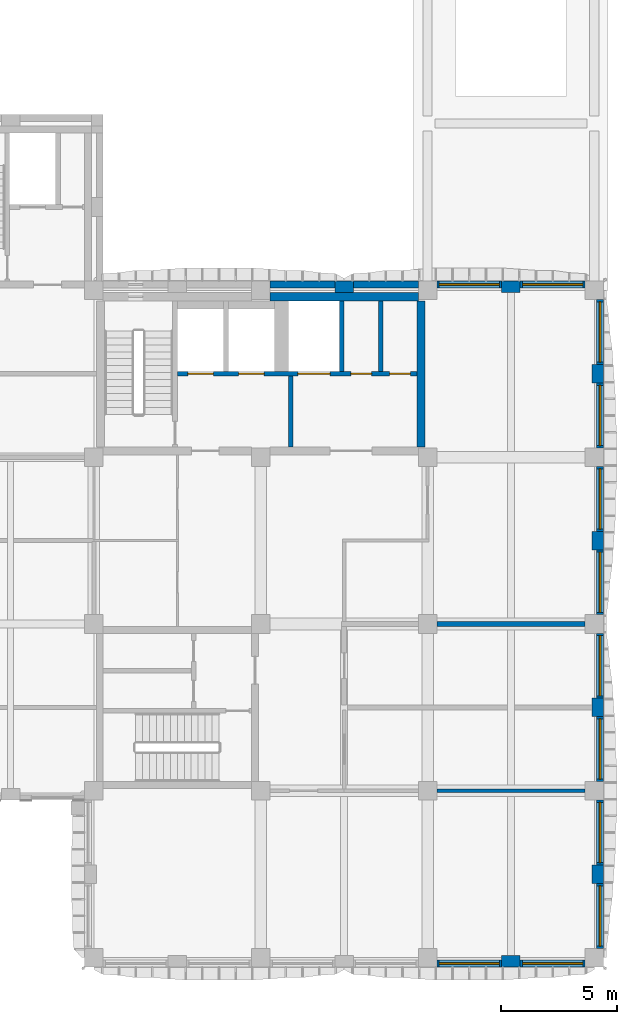
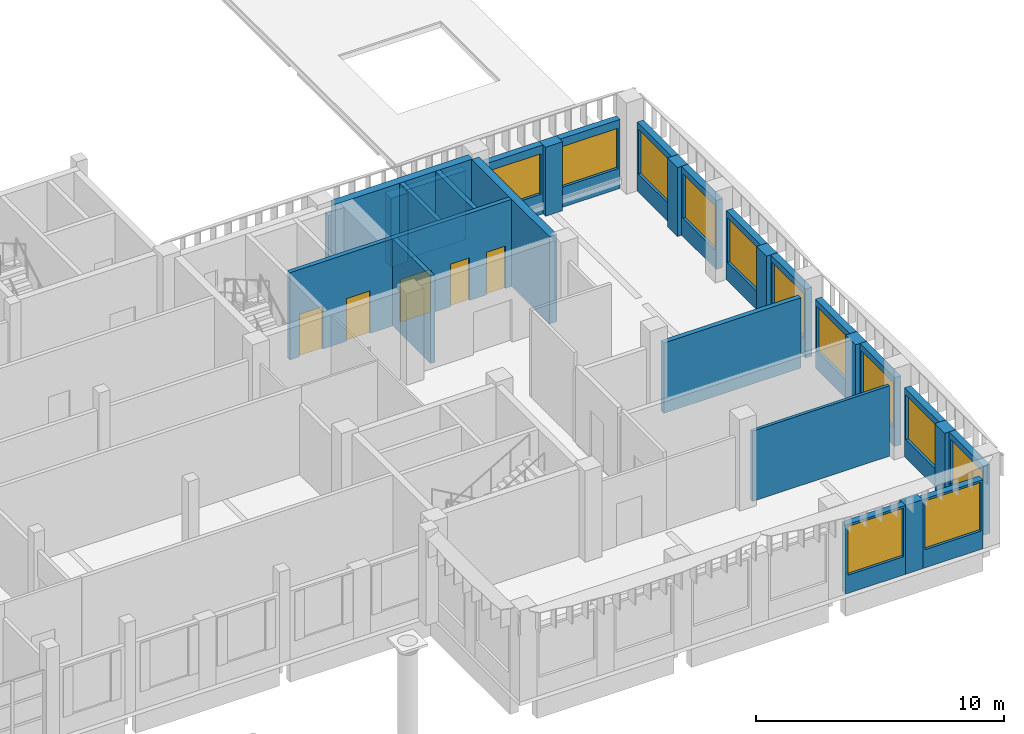
# One storey, part 24 of 59: 29 walls, 12 windows, 5 doors, 17 openings.
"""IFC4 building model written with IfcOpenShell, lengths in metres."""

from ifc_helpers import new_model, si_unit, direction, frame, frame_2d, origin, place, context, subcontext, project, spatial, rectangle, extrude, material, layer, layer_set, type_object, element, fill, save


model = new_model("IFC4")

# Units and contexts
model_context = context("Model", 3, precision=1e-05, world=origin(), true_north=direction((0.0, 1.0)))
body_context = subcontext(model_context, "Body", "Model", "MODEL_VIEW")
ifc_project = project(units=[si_unit("LENGTHUNIT", "METRE"), si_unit("AREAUNIT", "SQUARE_METRE"), si_unit("VOLUMEUNIT", "CUBIC_METRE"), si_unit("PLANEANGLEUNIT", "RADIAN"), si_unit("MASSUNIT", "GRAM", prefix="KILO")], contexts=[model_context])

# Site, building, storey
site_placement = place(None, origin())
site = spatial("IfcSite", under=ifc_project, at=site_placement, CompositionType="ELEMENT")
building_placement = place(site_placement, origin())
building = spatial("IfcBuilding", under=site, at=building_placement, Name="Ussher Court Research Institute", CompositionType="ELEMENT")
storey_placement = place(building_placement, frame((0.0, 0.0, 5.39990234375)))
storey = spatial("IfcBuildingStorey", under=building, at=storey_placement, Name="L01", CompositionType="ELEMENT", Elevation=5.39990234375)

# Wall, opening, window
ifc_material_1 = material(Name="Blockwork with cream render", Category="masonry")
ifc_layer_1 = layer(ifc_material_1, 0.300048828125)
ifc_layer_set_1 = layer_set([ifc_layer_1], Name="Blockwork with cream render")
wall_type_1 = type_object("IfcWallType", Name="External wall 300 cream render", PredefinedType="SOLIDWALL", material=ifc_layer_set_1)
wall_1_placement = place(storey_placement, frame((97.0, 33.050048828125, 0.0), z_axis=(0.0, 0.0, 1.0), x_axis=(1.0, 0.0, 0.0)))
wall_1 = element("IfcWall", 1, at=wall_1_placement, inside=storey, type_object=wall_type_1, Name="External wall EW1 L01", PredefinedType="SOLIDWALL", context=body_context, shape_type="SweptSolid", body=[
    extrude(rectangle(XDim=2.800048828125, YDim=0.300048828125, at=frame_2d((1.39990234375, 0.0))), origin(), (0.0, 0.0, 1.0), 3.400146484375),
])
opening_1_placement = place(wall_1_placement, frame((0.10009765625, 0.0, 1.0)))
opening_1 = element("IfcOpeningElement", 2, at=opening_1_placement, cuts=wall_1, Name="Opening W15", PredefinedType="OPENING", context=body_context, shape_type="SweptSolid", body=[
    extrude(rectangle(XDim=2.60009765625, YDim=2.0, at=frame_2d((1.300048828125, 1.0))), frame((0.0, 0.16015625, 0.0), z_axis=(0.0, -1.0, 0.0), x_axis=(1.0, 0.0, 0.0)), (0.0, 0.0, 1.0), 0.320068359375),
])
ifc_material_2 = material(Name="Bronze anodised aluminium with double glazing", Category="aluminium")
window_type_1 = type_object("IfcWindowType", Name="Service side laboratory window 2600x2000", PartitioningType="DOUBLE_PANEL_VERTICAL", PredefinedType="WINDOW", material=ifc_material_2)
window_1_placement = place(opening_1_placement, origin())
window_1 = element("IfcWindow", 3, at=window_1_placement, inside=storey, type_object=window_type_1, Name="Window W15 L01", OverallHeight=2.0, OverallWidth=2.60009765625, PartitioningType="SINGLE_PANEL", PredefinedType="WINDOW", context=body_context, shape_type="SweptSolid", body=[
    extrude(rectangle(XDim=2.60009765625, YDim=2.0, at=frame_2d((1.300048828125, 1.0))), frame((0.0, 0.030029296875, 0.0), z_axis=(0.0, -1.0, 0.0), x_axis=(1.0, 0.0, 0.0)), (0.0, 0.0, 1.0), 0.06005859375),
])
fill(opening_1, window_1)

wall_2_placement = place(storey_placement, frame((100.60009765625, 33.050048828125, 0.0), z_axis=(0.0, 0.0, 1.0), x_axis=(1.0, 0.0, 0.0)))
wall_2 = element("IfcWall", 4, at=wall_2_placement, inside=storey, type_object=wall_type_1, Name="External wall EW1 L01", PredefinedType="SOLIDWALL", context=body_context, shape_type="SweptSolid", body=[
    extrude(rectangle(XDim=2.7998046875, YDim=0.300048828125, at=frame_2d((1.39990234375, 0.0))), origin(), (0.0, 0.0, 1.0), 3.400146484375),
])
opening_2_placement = place(wall_2_placement, frame((0.10009765625, 0.0, 1.0)))
opening_2 = element("IfcOpeningElement", 5, at=opening_2_placement, cuts=wall_2, Name="Opening W15", PredefinedType="OPENING", context=body_context, shape_type="SweptSolid", body=[
    extrude(rectangle(XDim=2.60009765625, YDim=2.0, at=frame_2d((1.300048828125, 1.0))), frame((0.0, 0.16015625, 0.0), z_axis=(0.0, -1.0, 0.0), x_axis=(1.0, 0.0, 0.0)), (0.0, 0.0, 1.0), 0.320068359375),
])
window_2_placement = place(opening_2_placement, origin())
window_2 = element("IfcWindow", 6, at=window_2_placement, inside=storey, type_object=window_type_1, Name="Window W15 L01", OverallHeight=2.0, OverallWidth=2.60009765625, PartitioningType="SINGLE_PANEL", PredefinedType="WINDOW", context=body_context, shape_type="SweptSolid", body=[
    extrude(rectangle(XDim=2.60009765625, YDim=2.0, at=frame_2d((1.300048828125, 1.0))), frame((0.0, 0.030029296875, 0.0), z_axis=(0.0, -1.0, 0.0), x_axis=(1.0, 0.0, 0.0)), (0.0, 0.0, 1.0), 0.06005859375),
])
fill(opening_2, window_2)

wall_3_placement = place(storey_placement, frame((104.050048828125, 32.39990234375, 0.0), z_axis=(0.0, 0.0, 1.0), x_axis=(0.0, -1.0, 0.0)))
wall_3 = element("IfcWall", 7, at=wall_3_placement, inside=storey, type_object=wall_type_1, Name="External wall EW1 L01", PredefinedType="SOLIDWALL", context=body_context, shape_type="SweptSolid", body=[
    extrude(rectangle(XDim=2.7998046875, YDim=0.300048828125, at=frame_2d((1.39990234375, 0.0))), origin(), (0.0, 0.0, 1.0), 3.400146484375),
])
opening_3_placement = place(wall_3_placement, frame((0.10009765625, 0.0, 0.89990234375)))
opening_3 = element("IfcOpeningElement", 8, at=opening_3_placement, cuts=wall_3, Name="Opening W13", PredefinedType="OPENING", context=body_context, shape_type="SweptSolid", body=[
    extrude(rectangle(XDim=2.60009765625, YDim=2.199951171875, at=frame_2d((1.300048828125, 1.10009765625))), frame((0.0, 0.16015625, 0.0), z_axis=(0.0, -1.0, 0.0), x_axis=(1.0, 0.0, 0.0)), (0.0, 0.0, 1.0), 0.320068359375),
])
ifc_material_3 = material(Name="Bronze anodised aluminium with double glazing", Category="aluminium")
window_type_2 = type_object("IfcWindowType", Name="East laboratory window 2600x2200", PartitioningType="DOUBLE_PANEL_VERTICAL", PredefinedType="WINDOW", material=ifc_material_3)
window_3_placement = place(opening_3_placement, origin())
window_3 = element("IfcWindow", 9, at=window_3_placement, inside=storey, type_object=window_type_2, Name="Window W13 L01", OverallHeight=2.199951171875, OverallWidth=2.60009765625, PartitioningType="SINGLE_PANEL", PredefinedType="WINDOW", context=body_context, shape_type="SweptSolid", body=[
    extrude(rectangle(XDim=2.60009765625, YDim=2.199951171875, at=frame_2d((1.300048828125, 1.10009765625))), frame((0.0, 0.030029296875, 0.0), z_axis=(0.0, -1.0, 0.0), x_axis=(1.0, 0.0, 0.0)), (0.0, 0.0, 1.0), 0.06005859375),
])
fill(opening_3, window_3)

wall_4_placement = place(storey_placement, frame((104.050048828125, 28.800048828125, 0.0), z_axis=(0.0, 0.0, 1.0), x_axis=(0.0, -1.0, 0.0)))
wall_4 = element("IfcWall", 10, at=wall_4_placement, inside=storey, type_object=wall_type_1, Name="External wall EW1 L01", PredefinedType="SOLIDWALL", context=body_context, shape_type="SweptSolid", body=[
    extrude(rectangle(XDim=2.800048828125, YDim=0.300048828125, at=frame_2d((1.39990234375, 0.0))), origin(), (0.0, 0.0, 1.0), 3.400146484375),
])
opening_4_placement = place(wall_4_placement, frame((0.10009765625, 0.0, 0.89990234375)))
opening_4 = element("IfcOpeningElement", 11, at=opening_4_placement, cuts=wall_4, Name="Opening W13", PredefinedType="OPENING", context=body_context, shape_type="SweptSolid", body=[
    extrude(rectangle(XDim=2.60009765625, YDim=2.199951171875, at=frame_2d((1.300048828125, 1.10009765625))), frame((0.0, 0.16015625, 0.0), z_axis=(0.0, -1.0, 0.0), x_axis=(1.0, 0.0, 0.0)), (0.0, 0.0, 1.0), 0.320068359375),
])
window_4_placement = place(opening_4_placement, origin())
window_4 = element("IfcWindow", 12, at=window_4_placement, inside=storey, type_object=window_type_2, Name="Window W13 L01", OverallHeight=2.199951171875, OverallWidth=2.60009765625, PartitioningType="SINGLE_PANEL", PredefinedType="WINDOW", context=body_context, shape_type="SweptSolid", body=[
    extrude(rectangle(XDim=2.60009765625, YDim=2.199951171875, at=frame_2d((1.300048828125, 1.10009765625))), frame((0.0, 0.030029296875, 0.0), z_axis=(0.0, -1.0, 0.0), x_axis=(1.0, 0.0, 0.0)), (0.0, 0.0, 1.0), 0.06005859375),
])
fill(opening_4, window_4)

wall_5_placement = place(storey_placement, frame((104.050048828125, 25.199951171875, 0.0), z_axis=(0.0, 0.0, 1.0), x_axis=(0.0, -1.0, 0.0)))
wall_5 = element("IfcWall", 13, at=wall_5_placement, inside=storey, type_object=wall_type_1, Name="External wall EW1 L01", PredefinedType="SOLIDWALL", context=body_context, shape_type="SweptSolid", body=[
    extrude(rectangle(XDim=2.800048828125, YDim=0.300048828125, at=frame_2d((1.39990234375, 0.0))), origin(), (0.0, 0.0, 1.0), 3.400146484375),
])
opening_5_placement = place(wall_5_placement, frame((0.10009765625, 0.0, 0.89990234375)))
opening_5 = element("IfcOpeningElement", 14, at=opening_5_placement, cuts=wall_5, Name="Opening W13", PredefinedType="OPENING", context=body_context, shape_type="SweptSolid", body=[
    extrude(rectangle(XDim=2.60009765625, YDim=2.199951171875, at=frame_2d((1.300048828125, 1.10009765625))), frame((0.0, 0.16015625, 0.0), z_axis=(0.0, -1.0, 0.0), x_axis=(1.0, 0.0, 0.0)), (0.0, 0.0, 1.0), 0.320068359375),
])
window_5_placement = place(opening_5_placement, origin())
window_5 = element("IfcWindow", 15, at=window_5_placement, inside=storey, type_object=window_type_2, Name="Window W13 L01", OverallHeight=2.199951171875, OverallWidth=2.60009765625, PartitioningType="SINGLE_PANEL", PredefinedType="WINDOW", context=body_context, shape_type="SweptSolid", body=[
    extrude(rectangle(XDim=2.60009765625, YDim=2.199951171875, at=frame_2d((1.300048828125, 1.10009765625))), frame((0.0, 0.030029296875, 0.0), z_axis=(0.0, -1.0, 0.0), x_axis=(1.0, 0.0, 0.0)), (0.0, 0.0, 1.0), 0.06005859375),
])
fill(opening_5, window_5)

wall_6_placement = place(storey_placement, frame((104.050048828125, 21.60009765625, 0.0), z_axis=(0.0, 0.0, 1.0), x_axis=(0.0, -1.0, 0.0)))
wall_6 = element("IfcWall", 16, at=wall_6_placement, inside=storey, type_object=wall_type_1, Name="External wall EW1 L01", PredefinedType="SOLIDWALL", context=body_context, shape_type="SweptSolid", body=[
    extrude(rectangle(XDim=2.800048828125, YDim=0.300048828125, at=frame_2d((1.39990234375, 0.0))), origin(), (0.0, 0.0, 1.0), 3.400146484375),
])
opening_6_placement = place(wall_6_placement, frame((0.10009765625, 0.0, 0.89990234375)))
opening_6 = element("IfcOpeningElement", 17, at=opening_6_placement, cuts=wall_6, Name="Opening W13", PredefinedType="OPENING", context=body_context, shape_type="SweptSolid", body=[
    extrude(rectangle(XDim=2.60009765625, YDim=2.199951171875, at=frame_2d((1.300048828125, 1.10009765625))), frame((0.0, 0.16015625, 0.0), z_axis=(0.0, -1.0, 0.0), x_axis=(1.0, 0.0, 0.0)), (0.0, 0.0, 1.0), 0.320068359375),
])
window_6_placement = place(opening_6_placement, origin())
window_6 = element("IfcWindow", 18, at=window_6_placement, inside=storey, type_object=window_type_2, Name="Window W13 L01", OverallHeight=2.199951171875, OverallWidth=2.60009765625, PartitioningType="SINGLE_PANEL", PredefinedType="WINDOW", context=body_context, shape_type="SweptSolid", body=[
    extrude(rectangle(XDim=2.60009765625, YDim=2.199951171875, at=frame_2d((1.300048828125, 1.10009765625))), frame((0.0, 0.030029296875, 0.0), z_axis=(0.0, -1.0, 0.0), x_axis=(1.0, 0.0, 0.0)), (0.0, 0.0, 1.0), 0.06005859375),
])
fill(opening_6, window_6)

wall_7_placement = place(storey_placement, frame((104.050048828125, 18.0, 0.0), z_axis=(0.0, 0.0, 1.0), x_axis=(0.0, -1.0, 0.0)))
wall_7 = element("IfcWall", 19, at=wall_7_placement, inside=storey, type_object=wall_type_1, Name="External wall EW1 L01", PredefinedType="SOLIDWALL", context=body_context, shape_type="SweptSolid", body=[
    extrude(rectangle(XDim=2.800048828125, YDim=0.300048828125, at=frame_2d((1.39990234375, 0.0))), origin(), (0.0, 0.0, 1.0), 3.400146484375),
])
opening_7_placement = place(wall_7_placement, frame((0.10009765625, 0.0, 0.89990234375)))
opening_7 = element("IfcOpeningElement", 20, at=opening_7_placement, cuts=wall_7, Name="Opening W13", PredefinedType="OPENING", context=body_context, shape_type="SweptSolid", body=[
    extrude(rectangle(XDim=2.60009765625, YDim=2.199951171875, at=frame_2d((1.300048828125, 1.10009765625))), frame((0.0, 0.16015625, 0.0), z_axis=(0.0, -1.0, 0.0), x_axis=(1.0, 0.0, 0.0)), (0.0, 0.0, 1.0), 0.320068359375),
])
window_7_placement = place(opening_7_placement, origin())
window_7 = element("IfcWindow", 21, at=window_7_placement, inside=storey, type_object=window_type_2, Name="Window W13 L01", OverallHeight=2.199951171875, OverallWidth=2.60009765625, PartitioningType="SINGLE_PANEL", PredefinedType="WINDOW", context=body_context, shape_type="SweptSolid", body=[
    extrude(rectangle(XDim=2.60009765625, YDim=2.199951171875, at=frame_2d((1.300048828125, 1.10009765625))), frame((0.0, 0.030029296875, 0.0), z_axis=(0.0, -1.0, 0.0), x_axis=(1.0, 0.0, 0.0)), (0.0, 0.0, 1.0), 0.06005859375),
])
fill(opening_7, window_7)

wall_8_placement = place(storey_placement, frame((104.050048828125, 14.39990234375, 0.0), z_axis=(0.0, 0.0, 1.0), x_axis=(0.0, -1.0, 0.0)))
wall_8 = element("IfcWall", 22, at=wall_8_placement, inside=storey, type_object=wall_type_1, Name="External wall EW1 L01", PredefinedType="SOLIDWALL", context=body_context, shape_type="SweptSolid", body=[
    extrude(rectangle(XDim=2.7998046875, YDim=0.300048828125, at=frame_2d((1.39990234375, 0.0))), origin(), (0.0, 0.0, 1.0), 3.400146484375),
])
opening_8_placement = place(wall_8_placement, frame((0.10009765625, 0.0, 0.89990234375)))
opening_8 = element("IfcOpeningElement", 23, at=opening_8_placement, cuts=wall_8, Name="Opening W13", PredefinedType="OPENING", context=body_context, shape_type="SweptSolid", body=[
    extrude(rectangle(XDim=2.60009765625, YDim=2.199951171875, at=frame_2d((1.300048828125, 1.10009765625))), frame((0.0, 0.16015625, 0.0), z_axis=(0.0, -1.0, 0.0), x_axis=(1.0, 0.0, 0.0)), (0.0, 0.0, 1.0), 0.320068359375),
])
window_8_placement = place(opening_8_placement, origin())
window_8 = element("IfcWindow", 24, at=window_8_placement, inside=storey, type_object=window_type_2, Name="Window W13 L01", OverallHeight=2.199951171875, OverallWidth=2.60009765625, PartitioningType="SINGLE_PANEL", PredefinedType="WINDOW", context=body_context, shape_type="SweptSolid", body=[
    extrude(rectangle(XDim=2.60009765625, YDim=2.199951171875, at=frame_2d((1.300048828125, 1.10009765625))), frame((0.0, 0.030029296875, 0.0), z_axis=(0.0, -1.0, 0.0), x_axis=(1.0, 0.0, 0.0)), (0.0, 0.0, 1.0), 0.06005859375),
])
fill(opening_8, window_8)

wall_9_placement = place(storey_placement, frame((104.050048828125, 10.800048828125, 0.0), z_axis=(0.0, 0.0, 1.0), x_axis=(0.0, -1.0, 0.0)))
wall_9 = element("IfcWall", 25, at=wall_9_placement, inside=storey, type_object=wall_type_1, Name="External wall EW1 L01", PredefinedType="SOLIDWALL", context=body_context, shape_type="SweptSolid", body=[
    extrude(rectangle(XDim=2.800048828125, YDim=0.300048828125, at=frame_2d((1.39990234375, 0.0))), origin(), (0.0, 0.0, 1.0), 3.400146484375),
])
opening_9_placement = place(wall_9_placement, frame((0.10009765625, 0.0, 0.89990234375)))
opening_9 = element("IfcOpeningElement", 26, at=opening_9_placement, cuts=wall_9, Name="Opening W13", PredefinedType="OPENING", context=body_context, shape_type="SweptSolid", body=[
    extrude(rectangle(XDim=2.60009765625, YDim=2.199951171875, at=frame_2d((1.300048828125, 1.10009765625))), frame((0.0, 0.16015625, 0.0), z_axis=(0.0, -1.0, 0.0), x_axis=(1.0, 0.0, 0.0)), (0.0, 0.0, 1.0), 0.320068359375),
])
window_9_placement = place(opening_9_placement, origin())
window_9 = element("IfcWindow", 27, at=window_9_placement, inside=storey, type_object=window_type_2, Name="Window W13 L01", OverallHeight=2.199951171875, OverallWidth=2.60009765625, PartitioningType="SINGLE_PANEL", PredefinedType="WINDOW", context=body_context, shape_type="SweptSolid", body=[
    extrude(rectangle(XDim=2.60009765625, YDim=2.199951171875, at=frame_2d((1.300048828125, 1.10009765625))), frame((0.0, 0.030029296875, 0.0), z_axis=(0.0, -1.0, 0.0), x_axis=(1.0, 0.0, 0.0)), (0.0, 0.0, 1.0), 0.06005859375),
])
fill(opening_9, window_9)

wall_10_placement = place(storey_placement, frame((104.050048828125, 7.199951171875, 0.0), z_axis=(0.0, 0.0, 1.0), x_axis=(0.0, -1.0, 0.0)))
wall_10 = element("IfcWall", 28, at=wall_10_placement, inside=storey, type_object=wall_type_1, Name="External wall EW1 L01", PredefinedType="SOLIDWALL", context=body_context, shape_type="SweptSolid", body=[
    extrude(rectangle(XDim=2.800048828125, YDim=0.300048828125, at=frame_2d((1.39990234375, 0.0))), origin(), (0.0, 0.0, 1.0), 3.400146484375),
])
opening_10_placement = place(wall_10_placement, frame((0.10009765625, 0.0, 0.89990234375)))
opening_10 = element("IfcOpeningElement", 29, at=opening_10_placement, cuts=wall_10, Name="Opening W13", PredefinedType="OPENING", context=body_context, shape_type="SweptSolid", body=[
    extrude(rectangle(XDim=2.60009765625, YDim=2.199951171875, at=frame_2d((1.300048828125, 1.10009765625))), frame((0.0, 0.16015625, 0.0), z_axis=(0.0, -1.0, 0.0), x_axis=(1.0, 0.0, 0.0)), (0.0, 0.0, 1.0), 0.320068359375),
])
window_10_placement = place(opening_10_placement, origin())
window_10 = element("IfcWindow", 30, at=window_10_placement, inside=storey, type_object=window_type_2, Name="Window W13 L01", OverallHeight=2.199951171875, OverallWidth=2.60009765625, PartitioningType="SINGLE_PANEL", PredefinedType="WINDOW", context=body_context, shape_type="SweptSolid", body=[
    extrude(rectangle(XDim=2.60009765625, YDim=2.199951171875, at=frame_2d((1.300048828125, 1.10009765625))), frame((0.0, 0.030029296875, 0.0), z_axis=(0.0, -1.0, 0.0), x_axis=(1.0, 0.0, 0.0)), (0.0, 0.0, 1.0), 0.06005859375),
])
fill(opening_10, window_10)

wall_11_placement = place(storey_placement, frame((103.39990234375, 3.75, 0.0), z_axis=(0.0, 0.0, 1.0), x_axis=(-1.0, 0.0, 0.0)))
wall_11 = element("IfcWall", 31, at=wall_11_placement, inside=storey, type_object=wall_type_1, Name="External wall EW1 L01", PredefinedType="SOLIDWALL", context=body_context, shape_type="SweptSolid", body=[
    extrude(rectangle(XDim=2.7998046875, YDim=0.300048828125, at=frame_2d((1.39990234375, 0.0))), origin(), (0.0, 0.0, 1.0), 3.400146484375),
])
opening_11_placement = place(wall_11_placement, frame((0.10009765625, 0.0, 0.89990234375)))
opening_11 = element("IfcOpeningElement", 32, at=opening_11_placement, cuts=wall_11, Name="Opening W01", PredefinedType="OPENING", context=body_context, shape_type="SweptSolid", body=[
    extrude(rectangle(XDim=2.60009765625, YDim=2.39990234375, at=frame_2d((1.300048828125, 1.199951171875))), frame((0.0, 0.16015625, 0.0), z_axis=(0.0, -1.0, 0.0), x_axis=(1.0, 0.0, 0.0)), (0.0, 0.0, 1.0), 0.320068359375),
])
ifc_material_4 = material(Name="Bronze anodised aluminium with double glazing", Category="aluminium")
window_type_3 = type_object("IfcWindowType", Name="Laboratory bay window 2600x2400", PartitioningType="DOUBLE_PANEL_VERTICAL", PredefinedType="WINDOW", material=ifc_material_4)
window_11_placement = place(opening_11_placement, origin())
window_11 = element("IfcWindow", 33, at=window_11_placement, inside=storey, type_object=window_type_3, Name="Window W01 L01", OverallHeight=2.39990234375, OverallWidth=2.60009765625, PartitioningType="SINGLE_PANEL", PredefinedType="WINDOW", context=body_context, shape_type="SweptSolid", body=[
    extrude(rectangle(XDim=2.60009765625, YDim=2.39990234375, at=frame_2d((1.300048828125, 1.199951171875))), frame((0.0, 0.030029296875, 0.0), z_axis=(0.0, -1.0, 0.0), x_axis=(1.0, 0.0, 0.0)), (0.0, 0.0, 1.0), 0.06005859375),
])
fill(opening_11, window_11)

wall_12_placement = place(storey_placement, frame((99.800048828125, 3.75, 0.0), z_axis=(0.0, 0.0, 1.0), x_axis=(-1.0, 0.0, 0.0)))
wall_12 = element("IfcWall", 34, at=wall_12_placement, inside=storey, type_object=wall_type_1, Name="External wall EW1 L01", PredefinedType="SOLIDWALL", context=body_context, shape_type="SweptSolid", body=[
    extrude(rectangle(XDim=2.800048828125, YDim=0.300048828125, at=frame_2d((1.39990234375, 0.0))), origin(), (0.0, 0.0, 1.0), 3.400146484375),
])
opening_12_placement = place(wall_12_placement, frame((0.10009765625, 0.0, 0.89990234375)))
opening_12 = element("IfcOpeningElement", 35, at=opening_12_placement, cuts=wall_12, Name="Opening W01", PredefinedType="OPENING", context=body_context, shape_type="SweptSolid", body=[
    extrude(rectangle(XDim=2.60009765625, YDim=2.39990234375, at=frame_2d((1.300048828125, 1.199951171875))), frame((0.0, 0.16015625, 0.0), z_axis=(0.0, -1.0, 0.0), x_axis=(1.0, 0.0, 0.0)), (0.0, 0.0, 1.0), 0.320068359375),
])
window_12_placement = place(opening_12_placement, origin())
window_12 = element("IfcWindow", 36, at=window_12_placement, inside=storey, type_object=window_type_3, Name="Window W01 L01", OverallHeight=2.39990234375, OverallWidth=2.60009765625, PartitioningType="SINGLE_PANEL", PredefinedType="WINDOW", context=body_context, shape_type="SweptSolid", body=[
    extrude(rectangle(XDim=2.60009765625, YDim=2.39990234375, at=frame_2d((1.300048828125, 1.199951171875))), frame((0.0, 0.030029296875, 0.0), z_axis=(0.0, -1.0, 0.0), x_axis=(1.0, 0.0, 0.0)), (0.0, 0.0, 1.0), 0.06005859375),
])
fill(opening_12, window_12)

# Walls
ifc_material_5 = material(Name="Limestone facing on blockwork", Category="masonry")
ifc_layer_2 = layer(ifc_material_5, 0.300048828125)
ifc_layer_set_2 = layer_set([ifc_layer_2], Name="Limestone facing on blockwork")
wall_type_2 = type_object("IfcWallType", Name="External wall 300 stair enclosure", PredefinedType="SOLIDWALL", material=ifc_layer_set_2)
for number, where, z_axis, x_axis, name in (
    (37, (89.800048828125, 33.050048828125, 0.0), (0.0, 0.0, 1.0), (1.0, 0.0, 0.0), "External wall EW5 L01"),
    (38, (93.39990234375, 33.050048828125, 0.0), (0.0, 0.0, 1.0), (1.0, 0.0, 0.0), "External wall EW5 L01"),
):
    element("IfcWall", number, at=place(storey_placement, frame(where, z_axis=z_axis, x_axis=x_axis)), inside=storey, type_object=wall_type_2, Name=name, PredefinedType="SOLIDWALL", context=body_context, shape_type="SweptSolid", body=[
        extrude(rectangle(XDim=2.800048828125, YDim=0.300048828125, at=frame_2d((1.39990234375, 0.0))), origin(), (0.0, 0.0, 1.0), 3.400146484375),
    ])
ifc_material_6 = material(Name="Dense concrete blockwork", Category="masonry")
ifc_layer_3 = layer(ifc_material_6, 0.219970703125)
ifc_layer_set_3 = layer_set([ifc_layer_3], Name="Dense concrete blockwork")
wall_type_3 = type_object("IfcWallType", Name="Hazardous store dense block 220 EI 60", PredefinedType="PARTITIONING", material=ifc_layer_set_3)
wall_13_placement = place(storey_placement, frame((97.0, 18.39990234375, 0.0), z_axis=(0.0, 0.0, 1.0), x_axis=(1.0, 0.0, 0.0)))
element("IfcWall", 39, at=wall_13_placement, inside=storey, type_object=wall_type_3, Name="Fire partition", PredefinedType="PARTITIONING", context=body_context, shape_type="SweptSolid", body=[
    extrude(rectangle(XDim=6.39990234375, YDim=0.219970703125, at=frame_2d((3.199951171875, 0.0))), origin(), (0.0, 0.0, 1.0), 3.47021484375),
])
ifc_material_7 = material(Name="Plastered blockwork", Category="masonry")
ifc_layer_4 = layer(ifc_material_7, 0.139892578125)
ifc_layer_set_4 = layer_set([ifc_layer_4], Name="Plastered blockwork")
wall_type_4 = type_object("IfcWallType", Name="Laboratory blockwork partition 140", PredefinedType="PARTITIONING", material=ifc_layer_set_4)
wall_14_placement = place(storey_placement, frame((97.0, 11.199951171875, 0.0), z_axis=(0.0, 0.0, 1.0), x_axis=(1.0, 0.0, 0.0)))
element("IfcWall", 40, at=wall_14_placement, inside=storey, type_object=wall_type_4, Name="Partition", PredefinedType="PARTITIONING", context=body_context, shape_type="SweptSolid", body=[
    extrude(rectangle(XDim=6.39990234375, YDim=0.139892578125, at=frame_2d((3.199951171875, 0.0))), origin(), (0.0, 0.0, 1.0), 3.47021484375),
])
ifc_material_8 = material(Name="Blockwork with cream render", Category="masonry")
ifc_layer_5 = layer(ifc_material_8, 0.5)
ifc_layer_set_5 = layer_set([ifc_layer_5], Name="Blockwork with cream render")
wall_type_5 = type_object("IfcWallType", Name="Pier 800x500 cream render", PredefinedType="SOLIDWALL", material=ifc_layer_set_5)
wall_15_placement = place(storey_placement, frame((92.60009765625, 32.949951171875, 0.0), z_axis=(0.0, 0.0, 1.0), x_axis=(1.0, 0.0, 0.0)))
element("IfcWall", 41, at=wall_15_placement, inside=storey, type_object=wall_type_5, Name="Pier PR1 L01", PredefinedType="SOLIDWALL", context=body_context, shape_type="SweptSolid", body=[
    extrude(rectangle(XDim=0.7998046875, YDim=0.5, at=frame_2d((0.39990234375, 0.0))), origin(), (0.0, 0.0, 1.0), 3.400146484375),
])
for number, where, z_axis, x_axis, name in (
    (42, (99.800048828125, 32.949951171875, 0.0), (0.0, 0.0, 1.0), (1.0, 0.0, 0.0), "Pier PR1 L01"),
    (43, (103.949951171875, 29.60009765625, 0.0), (0.0, 0.0, 1.0), (0.0, -1.0, 0.0), "Pier PR1 L01"),
):
    element("IfcWall", number, at=place(storey_placement, frame(where, z_axis=z_axis, x_axis=x_axis)), inside=storey, type_object=wall_type_5, Name=name, PredefinedType="SOLIDWALL", context=body_context, shape_type="SweptSolid", body=[
        extrude(rectangle(XDim=0.800048828125, YDim=0.5, at=frame_2d((0.39990234375, 0.0))), origin(), (0.0, 0.0, 1.0), 3.400146484375),
    ])
wall_16_placement = place(storey_placement, frame((103.949951171875, 22.39990234375, 0.0), z_axis=(0.0, 0.0, 1.0), x_axis=(0.0, -1.0, 0.0)))
element("IfcWall", 44, at=wall_16_placement, inside=storey, type_object=wall_type_5, Name="Pier PR1 L01", PredefinedType="SOLIDWALL", context=body_context, shape_type="SweptSolid", body=[
    extrude(rectangle(XDim=0.7998046875, YDim=0.5, at=frame_2d((0.39990234375, 0.0))), origin(), (0.0, 0.0, 1.0), 3.400146484375),
])
for number, where, z_axis, x_axis, name in (
    (45, (103.949951171875, 15.199951171875, 0.0), (0.0, 0.0, 1.0), (0.0, -1.0, 0.0), "Pier PR1 L01"),
    (46, (103.949951171875, 8.0, 0.0), (0.0, 0.0, 1.0), (0.0, -1.0, 0.0), "Pier PR1 L01"),
    (47, (100.60009765625, 3.85009765625, 0.0), (0.0, 0.0, 1.0), (-1.0, 0.0, 0.0), "Pier PR1 L01"),
):
    element("IfcWall", number, at=place(storey_placement, frame(where, z_axis=z_axis, x_axis=x_axis)), inside=storey, type_object=wall_type_5, Name=name, PredefinedType="SOLIDWALL", context=body_context, shape_type="SweptSolid", body=[
        extrude(rectangle(XDim=0.800048828125, YDim=0.5, at=frame_2d((0.39990234375, 0.0))), origin(), (0.0, 0.0, 1.0), 3.400146484375),
    ])
ifc_material_9 = material(Name="Concrete C35/45", Category="concrete")
ifc_layer_6 = layer(ifc_material_9, 0.199951171875)
ifc_layer_set_6 = layer_set([ifc_layer_6], Name="Concrete C35/45")
wall_type_6 = type_object("IfcWallType", Name="RC core wall 200", PredefinedType="SHEAR", material=ifc_layer_set_6)
wall_17_placement = place(storey_placement, frame((90.699951171875, 26.050048828125, 0.0), z_axis=(0.0, 0.0, 1.0), x_axis=(0.0, 1.0, 0.0)))
element("IfcWall", 48, at=wall_17_placement, inside=storey, type_object=wall_type_6, Name="Core wall T1", PredefinedType="SHEAR", context=body_context, shape_type="SweptSolid", body=[
    extrude(rectangle(XDim=3.050048828125, YDim=0.199951171875, at=frame_2d((1.52490234375, 0.0))), origin(), (0.0, 0.0, 1.0), 4.300048828125),
])

# Wall, openings, doors
wall_18_placement = place(storey_placement, frame((96.14990234375, 29.199951171875, 0.0), z_axis=(0.0, 0.0, 1.0), x_axis=(-1.0, 0.0, 0.0)))
wall_18 = element("IfcWall", 49, at=wall_18_placement, inside=storey, type_object=wall_type_6, Name="Core wall T1", PredefinedType="SHEAR", context=body_context, shape_type="SweptSolid", body=[
    extrude(rectangle(XDim=10.349853515625, YDim=0.199951171875, at=frame_2d((5.1748046875, 0.0))), origin(), (0.0, 0.0, 1.0), 4.300048828125),
])
opening_13_placement = place(wall_18_placement, frame((8.800048828125, 0.0, 0.0)))
opening_13 = element("IfcOpeningElement", 50, at=opening_13_placement, cuts=wall_18, Name="Opening LD24", PredefinedType="OPENING", context=body_context, shape_type="SweptSolid", body=[
    extrude(rectangle(XDim=1.10009765625, YDim=2.10009765625, at=frame_2d((0.550048828125, 1.050048828125))), frame((0.0, 0.10986328125, 0.0), z_axis=(0.0, -1.0, 0.0), x_axis=(1.0, 0.0, 0.0)), (0.0, 0.0, 1.0), 0.219970703125),
])
opening_14_placement = place(wall_18_placement, frame((6.60009765625, 0.0, 0.0)))
opening_14 = element("IfcOpeningElement", 51, at=opening_14_placement, cuts=wall_18, Name="Opening LD25", PredefinedType="OPENING", context=body_context, shape_type="SweptSolid", body=[
    extrude(rectangle(XDim=1.10009765625, YDim=2.10009765625, at=frame_2d((0.550048828125, 1.050048828125))), frame((0.0, 0.10986328125, 0.0), z_axis=(0.0, -1.0, 0.0), x_axis=(1.0, 0.0, 0.0)), (0.0, 0.0, 1.0), 0.219970703125),
])
opening_15_placement = place(wall_18_placement, frame((3.75, 0.0, 0.0)))
opening_15 = element("IfcOpeningElement", 52, at=opening_15_placement, cuts=wall_18, Name="Opening LD26", PredefinedType="OPENING", context=body_context, shape_type="SweptSolid", body=[
    extrude(rectangle(XDim=1.39990234375, YDim=2.10009765625, at=frame_2d((0.699951171875, 1.050048828125))), frame((0.0, 0.10986328125, 0.0), z_axis=(0.0, -1.0, 0.0), x_axis=(1.0, 0.0, 0.0)), (0.0, 0.0, 1.0), 0.219970703125),
])
opening_16_placement = place(wall_18_placement, frame((1.96240234375, 0.0, 0.0)))
opening_16 = element("IfcOpeningElement", 53, at=opening_16_placement, cuts=wall_18, Name="Opening D01075", PredefinedType="OPENING", context=body_context, shape_type="SweptSolid", body=[
    extrude(rectangle(XDim=0.89990234375, YDim=2.10009765625, at=frame_2d((0.449951171875, 1.050048828125))), frame((0.0, 0.10986328125, 0.0), z_axis=(0.0, -1.0, 0.0), x_axis=(1.0, 0.0, 0.0)), (0.0, 0.0, 1.0), 0.219970703125),
])
opening_17_placement = place(wall_18_placement, frame((0.28759765625, 0.0, 0.0)))
opening_17 = element("IfcOpeningElement", 54, at=opening_17_placement, cuts=wall_18, Name="Opening D01076", PredefinedType="OPENING", context=body_context, shape_type="SweptSolid", body=[
    extrude(rectangle(XDim=0.89990234375, YDim=2.10009765625, at=frame_2d((0.449951171875, 1.050048828125))), frame((0.0, 0.10986328125, 0.0), z_axis=(0.0, -1.0, 0.0), x_axis=(1.0, 0.0, 0.0)), (0.0, 0.0, 1.0), 0.219970703125),
])
ifc_material_10 = material(Name="Painted steel faced fire door", Category="steel")
door_type_1 = type_object("IfcDoorType", Name="Fire door 900x2100 FD60", OperationType="NOTDEFINED", PredefinedType="DOOR", material=ifc_material_10)
door_1_placement = place(opening_16_placement, origin())
door_1 = element("IfcDoor", 55, at=door_1_placement, inside=storey, type_object=door_type_1, Name="Door D01075", OperationType="SINGLE_SWING_LEFT", OverallHeight=2.10009765625, OverallWidth=0.89990234375, PredefinedType="DOOR", context=body_context, shape_type="SweptSolid", body=[
    extrude(rectangle(XDim=0.89990234375, YDim=2.10009765625, at=frame_2d((0.449951171875, 1.050048828125))), frame((0.0, 0.02490234375, 0.0), z_axis=(0.0, -1.0, 0.0), x_axis=(1.0, 0.0, 0.0)), (0.0, 0.0, 1.0), 0.050048828125),
])
fill(opening_16, door_1)
door_2_placement = place(opening_17_placement, origin())
door_2 = element("IfcDoor", 56, at=door_2_placement, inside=storey, type_object=door_type_1, Name="Door D01076", OperationType="SINGLE_SWING_LEFT", OverallHeight=2.10009765625, OverallWidth=0.89990234375, PredefinedType="DOOR", context=body_context, shape_type="SweptSolid", body=[
    extrude(rectangle(XDim=0.89990234375, YDim=2.10009765625, at=frame_2d((0.449951171875, 1.050048828125))), frame((0.0, 0.02490234375, 0.0), z_axis=(0.0, -1.0, 0.0), x_axis=(1.0, 0.0, 0.0)), (0.0, 0.0, 1.0), 0.050048828125),
])
fill(opening_17, door_2)
ifc_material_11 = material(Name="Stainless steel lift door", Category="steel")
door_type_2 = type_object("IfcDoorType", Name="Lift landing door 1100x2100 sliding", OperationType="DOUBLE_DOOR_SLIDING", PredefinedType="DOOR", material=ifc_material_11)
door_3_placement = place(opening_13_placement, origin())
door_3 = element("IfcDoor", 57, at=door_3_placement, inside=storey, type_object=door_type_2, Name="Landing door T1-1 L01", OperationType="DOUBLE_DOOR_SLIDING", OverallHeight=2.10009765625, OverallWidth=1.10009765625, PredefinedType="DOOR", context=body_context, shape_type="SweptSolid", body=[
    extrude(rectangle(XDim=1.10009765625, YDim=2.10009765625, at=frame_2d((0.550048828125, 1.050048828125))), frame((0.0, 0.02490234375, 0.0), z_axis=(0.0, -1.0, 0.0), x_axis=(1.0, 0.0, 0.0)), (0.0, 0.0, 1.0), 0.050048828125),
])
fill(opening_13, door_3)
door_4_placement = place(opening_14_placement, origin())
door_4 = element("IfcDoor", 58, at=door_4_placement, inside=storey, type_object=door_type_2, Name="Landing door T1-2 L01", OperationType="DOUBLE_DOOR_SLIDING", OverallHeight=2.10009765625, OverallWidth=1.10009765625, PredefinedType="DOOR", context=body_context, shape_type="SweptSolid", body=[
    extrude(rectangle(XDim=1.10009765625, YDim=2.10009765625, at=frame_2d((0.550048828125, 1.050048828125))), frame((0.0, 0.02490234375, 0.0), z_axis=(0.0, -1.0, 0.0), x_axis=(1.0, 0.0, 0.0)), (0.0, 0.0, 1.0), 0.050048828125),
])
fill(opening_14, door_4)
ifc_material_12 = material(Name="Stainless steel lift door", Category="steel")
door_type_3 = type_object("IfcDoorType", Name="Lift landing door 1400x2100 sliding", OperationType="DOUBLE_DOOR_SLIDING", PredefinedType="DOOR", material=ifc_material_12)
door_5_placement = place(opening_15_placement, origin())
door_5 = element("IfcDoor", 59, at=door_5_placement, inside=storey, type_object=door_type_3, Name="Landing door T1-3 L01", OperationType="DOUBLE_DOOR_SLIDING", OverallHeight=2.10009765625, OverallWidth=1.39990234375, PredefinedType="DOOR", context=body_context, shape_type="SweptSolid", body=[
    extrude(rectangle(XDim=1.39990234375, YDim=2.10009765625, at=frame_2d((0.699951171875, 1.050048828125))), frame((0.0, 0.02490234375, 0.0), z_axis=(0.0, -1.0, 0.0), x_axis=(1.0, 0.0, 0.0)), (0.0, 0.0, 1.0), 0.050048828125),
])
fill(opening_15, door_5)

# Walls
for number, where, z_axis, x_axis, name in (
    (60, (92.89990234375, 29.300048828125, 0.0), (0.0, 0.0, 1.0), (0.0, 1.0, 0.0), "Core wall T1"),
    (61, (94.574951171875, 29.300048828125, 0.0), (0.0, 0.0, 1.0), (0.0, 1.0, 0.0), "Core wall T1"),
):
    element("IfcWall", number, at=place(storey_placement, frame(where, z_axis=z_axis, x_axis=x_axis)), inside=storey, type_object=wall_type_6, Name=name, PredefinedType="SHEAR", context=body_context, shape_type="SweptSolid", body=[
        extrude(rectangle(XDim=3.050048828125, YDim=0.199951171875, at=frame_2d((1.52490234375, 0.0))), origin(), (0.0, 0.0, 1.0), 4.300048828125),
    ])
ifc_material_13 = material(Name="Concrete C35/45", Category="concrete")
ifc_layer_7 = layer(ifc_material_13, 0.35009765625)
ifc_layer_set_7 = layer_set([ifc_layer_7], Name="Concrete C35/45")
wall_type_7 = type_object("IfcWallType", Name="RC core wall 350", PredefinedType="SHEAR", material=ifc_layer_set_7)
wall_19_placement = place(storey_placement, frame((89.800048828125, 32.52490234375, 0.0), z_axis=(0.0, 0.0, 1.0), x_axis=(1.0, 0.0, 0.0)))
element("IfcWall", 62, at=wall_19_placement, inside=storey, type_object=wall_type_7, Name="Core wall T1", PredefinedType="SHEAR", context=body_context, shape_type="SweptSolid", body=[
    extrude(rectangle(XDim=6.39990234375, YDim=0.35009765625, at=frame_2d((3.199951171875, 0.0))), origin(), (0.0, 0.0, 1.0), 4.300048828125),
])
wall_20_placement = place(storey_placement, frame((96.324951171875, 26.050048828125, 0.0), z_axis=(0.0, 0.0, 1.0), x_axis=(0.0, 1.0, 0.0)))
element("IfcWall", 63, at=wall_20_placement, inside=storey, type_object=wall_type_7, Name="Core wall T1", PredefinedType="SHEAR", context=body_context, shape_type="SweptSolid", body=[
    extrude(rectangle(XDim=6.300048828125, YDim=0.35009765625, at=frame_2d((3.14990234375, 0.0))), origin(), (0.0, 0.0, 1.0), 4.300048828125),
])

save(model, "model.ifc")
